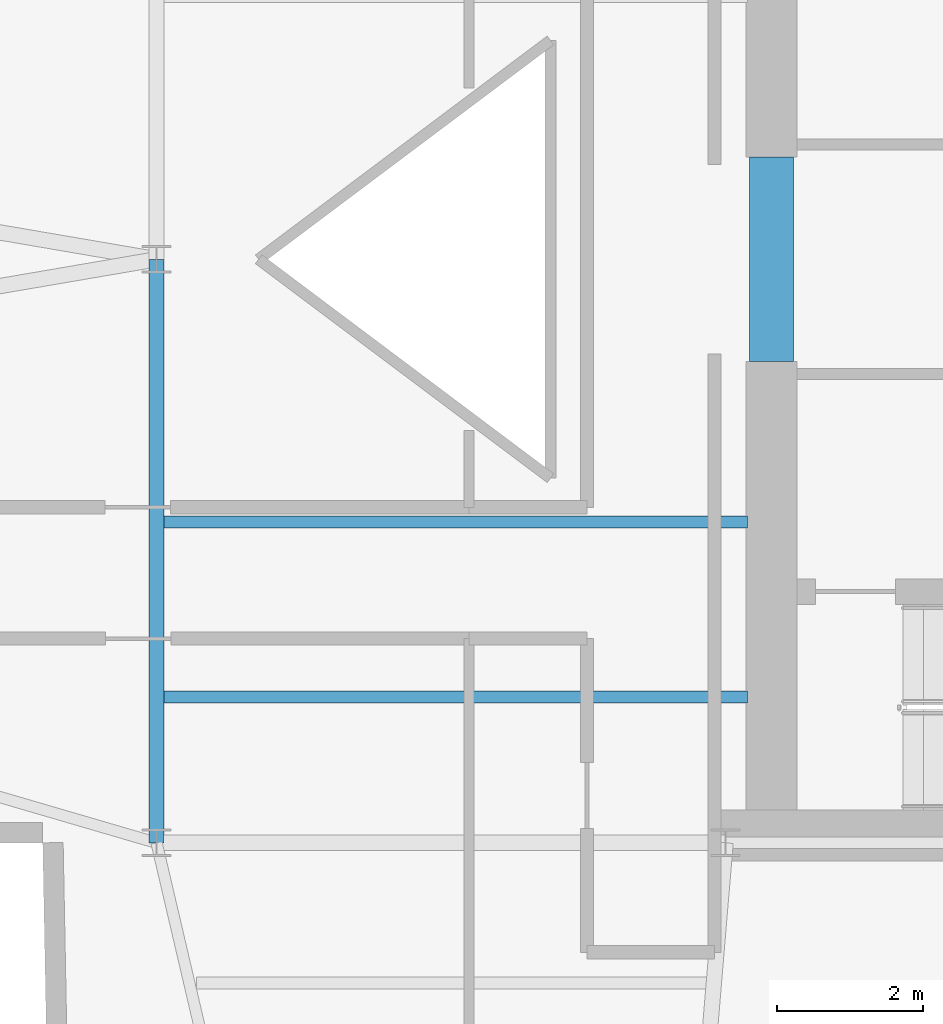
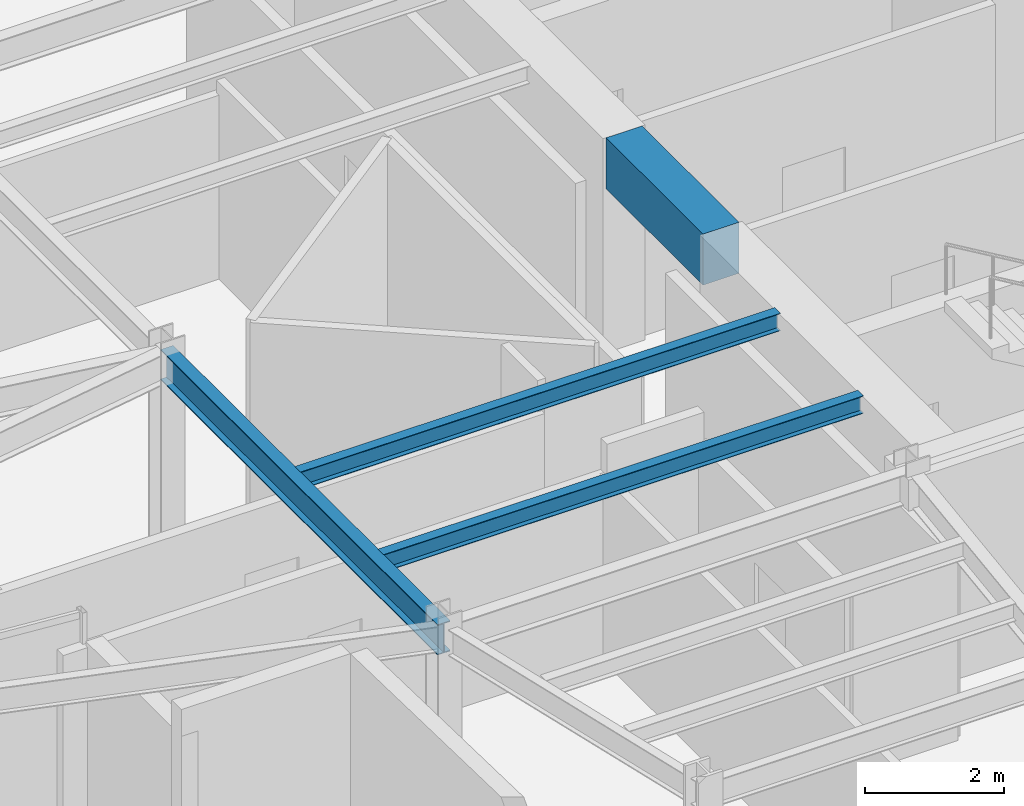
# One storey, part 7 of 21: 4 beams.
"""IFC4 building model written with IfcOpenShell, lengths in metres."""

from ifc_helpers import new_model, si_unit, direction, frame, origin, origin_2d, place, context, subcontext, project, spatial, rectangle, i_section, extrude, material, material_profile, profile_set, type_object, element, save


model = new_model("IFC4")

# Units and contexts
model_context = context("Model", 3, precision=1e-05, world=origin(), true_north=direction((0.0, 1.0)))
body_context = subcontext(model_context, "Body", "Model", "MODEL_VIEW")
ifc_project = project(units=[si_unit("LENGTHUNIT", "METRE"), si_unit("AREAUNIT", "SQUARE_METRE"), si_unit("VOLUMEUNIT", "CUBIC_METRE"), si_unit("PLANEANGLEUNIT", "RADIAN"), si_unit("MASSUNIT", "GRAM", prefix="KILO")], contexts=[model_context])

# Site, building, storey
site_placement = place(None, origin())
site = spatial("IfcSite", under=ifc_project, at=site_placement, CompositionType="ELEMENT")
building_placement = place(site_placement, origin())
building = spatial("IfcBuilding", under=site, at=building_placement, Name="Veymaron Broadcast Tower", CompositionType="ELEMENT")
storey_placement = place(building_placement, frame((0.0, 0.0, 228.300048828125)))
storey = spatial("IfcBuildingStorey", under=building, at=storey_placement, Name="L53", CompositionType="ELEMENT", Elevation=228.300048828125)

# Beams
ifc_material_1 = material(Name="Concrete C60/75", Category="concrete")
ifc_material_profile_1 = material_profile(ifc_material_1, rectangle(XDim=0.60009765625, YDim=0.89990234375, at=origin_2d()), Name="RC600X900")
ifc_profile_set_1 = profile_set([ifc_material_profile_1], Name="Concrete C60/75")
beam_type_1 = type_object("IfcBeamType", Name="BM-CB2", PredefinedType="LINTEL", material=ifc_profile_set_1)
beam_1_placement = place(storey_placement, frame((39.6298828125, 22.60009765625, 3.33984375), z_axis=(0.0, 1.0, 0.0), x_axis=(-1.0, 0.0, 0.0)))
element("IfcBeam", 1, at=beam_1_placement, inside=storey, type_object=beam_type_1, Name="L53 Core Wall west coupling beam", PredefinedType="LINTEL", context=body_context, shape_type="SweptSolid", body=[
    extrude(rectangle(XDim=0.60009765625, YDim=0.89990234375, at=origin_2d()), origin(), (0.0, 0.0, 1.0), 2.7998046875),
])
ifc_material_2 = material(Name="Structural steel ASTM A992 Gr 50", Category="steel")
ifc_material_profile_2 = material_profile(ifc_material_2, i_section(OverallWidth=0.2099609375, OverallDepth=0.537109375, WebThickness=0.010986328125, FlangeThickness=0.017333984375, at=origin_2d()), Name="W530X101")
ifc_profile_set_2 = profile_set([ifc_material_profile_2], Name="Structural steel ASTM A992 Gr 50")
beam_type_2 = type_object("IfcBeamType", Name="BM-FG3", PredefinedType="BEAM", material=ifc_profile_set_2)
beam_2_placement = place(storey_placement, frame((31.199951171875, 16.0, 3.521484375), z_axis=(0.0, 1.0, 0.0), x_axis=(-1.0, 0.0, 0.0)))
element("IfcBeam", 2, at=beam_2_placement, inside=storey, type_object=beam_type_2, Name="L53 primary structural floor girder", PredefinedType="BEAM", context=body_context, shape_type="SweptSolid", body=[
    extrude(i_section(OverallWidth=0.2099609375, OverallDepth=0.537109375, WebThickness=0.010986328125, FlangeThickness=0.017333984375, at=origin_2d()), origin(), (0.0, 0.0, 1.0), 8.0),
])
ifc_material_profile_3 = material_profile(ifc_material_2, i_section(OverallWidth=0.1650390625, OverallDepth=0.31005859375, WebThickness=0.005859375, FlangeThickness=0.009765625, at=origin_2d()), Name="W310X39")
ifc_profile_set_3 = profile_set([ifc_material_profile_3], Name="Structural steel ASTM A992 Gr 50")
beam_type_3 = type_object("IfcBeamType", Name="BM-JS3", PredefinedType="JOIST", material=ifc_profile_set_3)
for number, where, z_axis, x_axis, name in (
    (3, (31.300048828125, 18.0, 3.635009765625), (1.0, 0.0, 0.0), (0.0, 1.0, 0.0), "L53 Hub secondary joist 1"),
    (4, (31.300048828125, 20.39990234375, 3.635009765625), (1.0, 0.0, 0.0), (0.0, 1.0, 0.0), "L53 Hub secondary joist 2"),
):
    element("IfcBeam", number, at=place(storey_placement, frame(where, z_axis=z_axis, x_axis=x_axis)), inside=storey, type_object=beam_type_3, Name=name, PredefinedType="JOIST", context=body_context, shape_type="SweptSolid", body=[
        extrude(i_section(OverallWidth=0.1650390625, OverallDepth=0.31005859375, WebThickness=0.005859375, FlangeThickness=0.009765625, at=origin_2d()), origin(), (0.0, 0.0, 1.0), 8.0),
    ])

save(model, "model.ifc")
